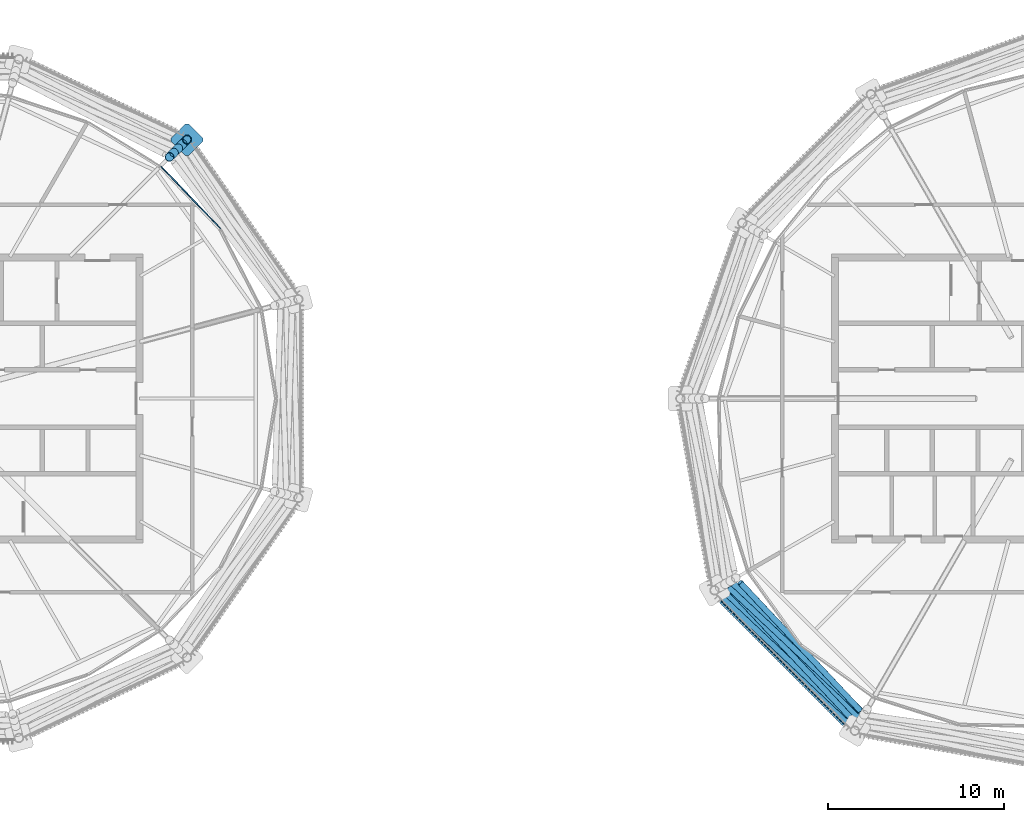
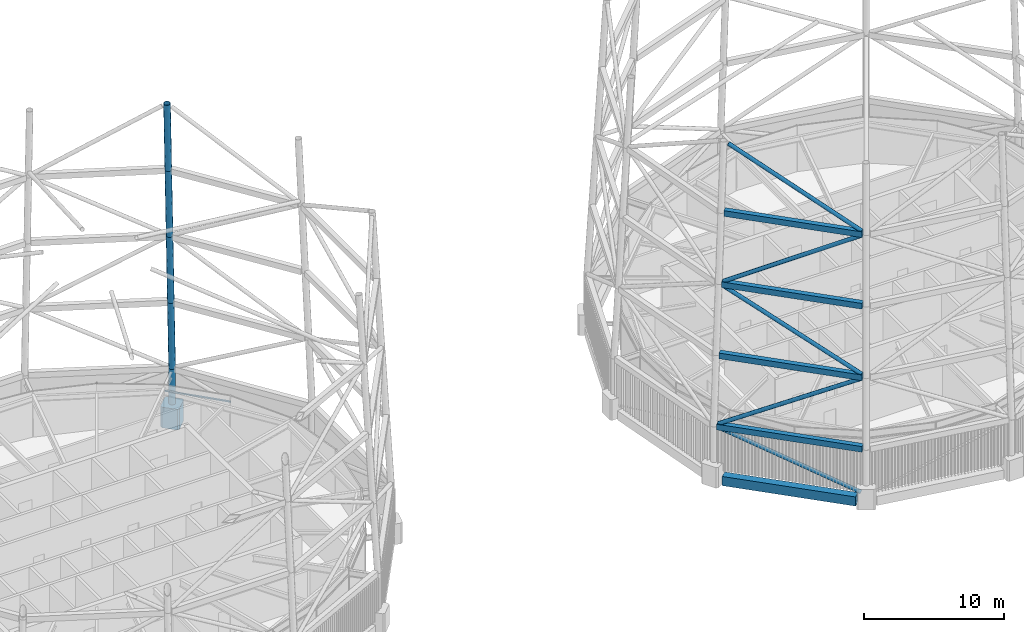
# One storey, part 35 of 71: 12 members, 5 beams, 1 element without a shape of its own.
"""IFC4 building model written with IfcOpenShell, lengths in metres."""

from ifc_helpers import new_model, si_unit, direction, frame, origin, origin_2d, place, context, subcontext, project, spatial, polyline, rectangle, hollow_rectangle, hollow_circle, outline, extrude, material, material_profile, profile_set, type_object, element, aggregate, save


model = new_model("IFC4")

# Units and contexts
model_context = context("Model", 3, precision=1e-05, world=origin(), true_north=direction((0.0, 1.0)))
body_context = subcontext(model_context, "Body", "Model", "MODEL_VIEW")
ifc_project = project(units=[si_unit("LENGTHUNIT", "METRE"), si_unit("AREAUNIT", "SQUARE_METRE"), si_unit("VOLUMEUNIT", "CUBIC_METRE"), si_unit("PLANEANGLEUNIT", "RADIAN"), si_unit("MASSUNIT", "GRAM", prefix="KILO")], contexts=[model_context])

# Site, building, storey
site_placement = place(None, origin())
site = spatial("IfcSite", under=ifc_project, at=site_placement, CompositionType="ELEMENT")
building_placement = place(site_placement, origin())
building = spatial("IfcBuilding", under=site, at=building_placement, Name="Rimbun Link Towers", CompositionType="ELEMENT")
storey_placement = place(building_placement, frame((0.0, 0.0, 267.60009765625)))
storey = spatial("IfcBuildingStorey", under=building, at=storey_placement, Name="L65", CompositionType="ELEMENT", Elevation=267.60009765625)

# Curtain wall, member
ifc_material_1 = material(Name="Aluminium 6063-T6 louvre wall", Category="aluminium")
curtain_wall_type = type_object("IfcCurtainWallType", Name="CW6 plant floor louvre wall", PredefinedType="NOTDEFINED", material=ifc_material_1)
curtain_wall_placement = place(storey_placement, origin())
curtain_wall = element("IfcCurtainWall", 1, at=curtain_wall_placement, inside=storey, type_object=curtain_wall_type, Name="CW6 L65 T1", PredefinedType="NOTDEFINED")
ifc_material_2 = material(Name="Aluminium 6063-T6", Category="aluminium")
ifc_material_profile_1 = material_profile(ifc_material_2, rectangle(XDim=0.06005859375, YDim=0.1201171875, at=origin_2d()), Name="TRANSOM 60X120")
ifc_profile_set_1 = profile_set([ifc_material_profile_1], Name="Aluminium 6063-T6")
member_type_1 = type_object("IfcMemberType", Name="CW6 transom 60X120", PredefinedType="USERDEFINED", material=ifc_profile_set_1)
member_1_placement = place(storey_placement, frame((-18.525390625, 13.178466796875, 3.39990234375), z_axis=(0.692070465615, -0.721829945779, 0.0), x_axis=(0.721829945779, 0.692070465615, 0.0)))
member_1 = element("IfcMember", 2, at=member_1_placement, type_object=member_type_1, Name="CW6 transom", ObjectType="TRANSOM", PredefinedType="USERDEFINED", context=body_context, shape_type="SweptSolid", body=[
    extrude(rectangle(XDim=0.06005859375, YDim=0.1201171875, at=origin_2d()), origin(), (0.0, 0.0, 1.0), 4.88134765625),
])
aggregate(curtain_wall, [member_1])

# Members
ifc_material_3 = material(Name="Steel S355J2H", Category="steel")
ifc_material_profile_2 = material_profile(ifc_material_3, hollow_circle(Radius=0.161865234375, WallThickness=0.011962890625, at=origin_2d()), Name="Crown frame brace CHS 324x12")
ifc_profile_set_2 = profile_set([ifc_material_profile_2], Name="Steel S355J2H")
member_type_2 = type_object("IfcMemberType", Name="Crown frame brace CHS 324x12", PredefinedType="BRACE", material=ifc_profile_set_2)
member_2_placement = place(storey_placement, frame((20.59912109375, -18.585693359375, 0.1337890625), z_axis=(-0.666367078529, 0.666367078529, 0.334529271223), x_axis=(-0.707106781187, -0.707106781187, 0.0)))
element("IfcMember", 3, at=member_2_placement, inside=storey, type_object=member_type_2, Name="CROWN FRAME brace T2 1-05", PredefinedType="BRACE", context=body_context, shape_type="SweptSolid", body=[
    extrude(hollow_circle(Radius=0.161865234375, WallThickness=0.011962890625, at=origin_2d()), origin(), (0.0, 0.0, 1.0), 11.1572265625),
])
member_3_placement = place(storey_placement, frame((13.154296875, -11.1259765625, 4.18896484375), z_axis=(0.641639549745, -0.603963681012, 0.472785956033), x_axis=(0.685405398866, 0.728161684796, 0.0)))
element("IfcMember", 4, at=member_3_placement, inside=storey, type_object=member_type_2, Name="CROWN FRAME brace T2 2-05", PredefinedType="BRACE", context=body_context, shape_type="SweptSolid", body=[
    extrude(hollow_circle(Radius=0.161865234375, WallThickness=0.011962890625, at=origin_2d()), origin(), (0.0, 0.0, 1.0), 11.890869140625),
])
member_4_placement = place(storey_placement, frame((20.800048828125, -18.29345703125, 10.19140625), z_axis=(-0.601424667009, 0.639570390699, 0.478788142349), x_axis=(-0.72849776907, -0.685048173824, 0.0)))
element("IfcMember", 5, at=member_4_placement, inside=storey, type_object=member_type_2, Name="CROWN FRAME brace T2 3-05", PredefinedType="BRACE", context=body_context, shape_type="SweptSolid", body=[
    extrude(hollow_circle(Radius=0.161865234375, WallThickness=0.011962890625, at=origin_2d()), origin(), (0.0, 0.0, 1.0), 11.731689453125),
])
member_5_placement = place(storey_placement, frame((13.7587890625, -10.77392578125, 16.19384765625), z_axis=(0.637413235173, -0.598786604903, 0.484931922453), x_axis=(0.684678179794, 0.728845518689, 0.0)))
element("IfcMember", 6, at=member_5_placement, inside=storey, type_object=member_type_2, Name="CROWN FRAME brace T2 4-05", PredefinedType="BRACE", context=body_context, shape_type="SweptSolid", body=[
    extrude(hollow_circle(Radius=0.161865234375, WallThickness=0.011962890625, at=origin_2d()), origin(), (0.0, 0.0, 1.0), 11.572998046875),
])
member_6_placement = place(storey_placement, frame((21.152099609375, -17.68896484375, 22.1962890625), z_axis=(-0.596036429538, 0.635176183594, 0.491214607334), x_axis=(-0.729217049015, -0.684282467572, 0.0)))
element("IfcMember", 7, at=member_6_placement, inside=storey, type_object=member_type_2, Name="CROWN FRAME brace T2 5-05", PredefinedType="BRACE", context=body_context, shape_type="SweptSolid", body=[
    extrude(hollow_circle(Radius=0.161865234375, WallThickness=0.011962890625, at=origin_2d()), origin(), (0.0, 0.0, 1.0), 11.4150390625),
])
ifc_material_4 = material(Name="Steel S355J2H", Category="steel")
ifc_material_profile_3 = material_profile(ifc_material_4, hollow_circle(Radius=0.25390625, WallThickness=0.02001953125, at=origin_2d()), Name="Crown frame post CHS 508x20")
ifc_profile_set_3 = profile_set([ifc_material_profile_3], Name="Steel S355J2H")
member_type_3 = type_object("IfcMemberType", Name="Crown frame post CHS 508x20", PredefinedType="POST", material=ifc_profile_set_3)
member_7_placement = place(storey_placement, frame((-17.048828125, 14.701171875, 0.0), z_axis=(0.0, 0.0, 1.0), x_axis=(1.0, 0.0, 0.0)))
element("IfcMember", 8, at=member_7_placement, inside=storey, type_object=member_type_3, Name="CROWN FRAME post T1 1-01", PredefinedType="POST", context=body_context, shape_type="SweptSolid", body=[
    extrude(hollow_circle(Radius=0.25390625, WallThickness=0.02001953125, at=origin_2d()), origin(), (0.0, 0.0, 1.0), 4.0),
])
for number, where, z_axis, x_axis, name in (
    (9, (-17.048828125, 14.701171875, 4.0), (-0.041189705162, -0.041189705162, 0.99830196653), (0.707106781187, -0.707106781187, 0.0), "CROWN FRAME post T1 2-01"),
    (10, (-17.29638671875, 14.45361328125, 10.0), (-0.041189705162, -0.041189705162, 0.99830196653), (0.707106781187, -0.707106781187, 0.0), "CROWN FRAME post T1 3-01"),
    (11, (-17.5439453125, 14.2060546875, 16.0), (-0.041189705162, -0.041189705162, 0.99830196653), (0.707106781187, -0.707106781187, 0.0), "CROWN FRAME post T1 4-01"),
    (12, (-17.79150390625, 13.95849609375, 22.0), (-0.041149221782, -0.041149221782, 0.998305305552), (0.707106781187, -0.707106781187, 0.0), "CROWN FRAME post T1 5-01"),
):
    element("IfcMember", number, at=place(storey_placement, frame(where, z_axis=z_axis, x_axis=x_axis)), inside=storey, type_object=member_type_3, Name=name, PredefinedType="POST", context=body_context, shape_type="SweptSolid", body=[
        extrude(hollow_circle(Radius=0.25390625, WallThickness=0.02001953125, at=origin_2d()), origin(), (0.0, 0.0, 1.0), 6.01025390625),
    ])

# Beams
ifc_material_5 = material(Name="Steel S355J2", Category="steel")
ifc_material_profile_4 = material_profile(ifc_material_5, hollow_rectangle(XDim=0.39990234375, YDim=0.5, WallThickness=0.02001953125, at=origin_2d()), Name="Crown frame ring beam BOX 400x500x20")
ifc_profile_set_4 = profile_set([ifc_material_profile_4], Name="Steel S355J2")
beam_type_1 = type_object("IfcBeamType", Name="Crown frame ring beam BOX 400x500x20", PredefinedType="BEAM", material=ifc_profile_set_4)
beam_1_placement = place(storey_placement, frame((13.077392578125, -11.06396484375, 4.0), z_axis=(0.707106781187, -0.707106781187, 0.0), x_axis=(0.707106781187, 0.707106781187, 0.0)))
element("IfcBeam", 13, at=beam_1_placement, inside=storey, type_object=beam_type_1, Name="CROWN FRAME ring beam T2 1-05", PredefinedType="BEAM", context=body_context, shape_type="SweptSolid", body=[
    extrude(hollow_rectangle(XDim=0.39990234375, YDim=0.5, WallThickness=0.02001953125, at=origin_2d()), origin(), (0.0, 0.0, 1.0), 10.76025390625),
])
beam_2_placement = place(storey_placement, frame((13.38037109375, -10.888916015625, 10.0), z_axis=(0.707106781187, -0.707106781187, 0.0), x_axis=(0.707106781187, 0.707106781187, 0.0)))
element("IfcBeam", 14, at=beam_2_placement, inside=storey, type_object=beam_type_1, Name="CROWN FRAME ring beam T2 2-05", PredefinedType="BEAM", context=body_context, shape_type="SweptSolid", body=[
    extrude(hollow_rectangle(XDim=0.39990234375, YDim=0.5, WallThickness=0.02001953125, at=origin_2d()), origin(), (0.0, 0.0, 1.0), 10.579345703125),
])
beam_3_placement = place(storey_placement, frame((13.68359375, -10.714111328125, 16.0), z_axis=(0.707106781187, -0.707106781187, 0.0), x_axis=(0.707106781187, 0.707106781187, 0.0)))
element("IfcBeam", 15, at=beam_3_placement, inside=storey, type_object=beam_type_1, Name="CROWN FRAME ring beam T2 3-05", PredefinedType="BEAM", context=body_context, shape_type="SweptSolid", body=[
    extrude(hollow_rectangle(XDim=0.39990234375, YDim=0.5, WallThickness=0.02001953125, at=origin_2d()), origin(), (0.0, 0.0, 1.0), 10.397705078125),
])
beam_4_placement = place(storey_placement, frame((13.986572265625, -10.5390625, 22.0), z_axis=(0.707106781187, -0.707106781187, 0.0), x_axis=(0.707106781187, 0.707106781187, 0.0)))
element("IfcBeam", 16, at=beam_4_placement, inside=storey, type_object=beam_type_1, Name="CROWN FRAME ring beam T2 4-05", PredefinedType="BEAM", context=body_context, shape_type="SweptSolid", body=[
    extrude(hollow_rectangle(XDim=0.39990234375, YDim=0.5, WallThickness=0.02001953125, at=origin_2d()), origin(), (0.0, 0.0, 1.0), 10.216796875),
])

# Member
ifc_material_6 = material(Name="Cast steel G20Mn5+QT, Rp0.2 300 MPa", Category="steel")
ifc_material_profile_5 = material_profile(ifc_material_6, outline(polyline([(0.699951171875, -0.570068359375), (0.699951171875, 0.570068359375), (0.570068359375, 0.699951171875), (-0.570068359375, 0.699951171875), (-0.699951171875, 0.570068359375), (-0.699951171875, -0.570068359375), (-0.570068359375, -0.699951171875), (0.570068359375, -0.699951171875), (0.699951171875, -0.570068359375)])), Name="NODE 1400x1400")
ifc_profile_set_5 = profile_set([ifc_material_profile_5], Name="Cast steel G20Mn5+QT, Rp0.2 300 MPa")
member_type_4 = type_object("IfcMemberType", Name="Diagrid node cast 1400", PredefinedType="USERDEFINED", material=ifc_profile_set_5)
member_8_placement = place(storey_placement, frame((-17.048828125, 14.701171875, -0.900146484375), z_axis=(0.0, 0.0, 1.0), x_axis=(0.707106781187, 0.707106781187, 0.0)))
element("IfcMember", 17, at=member_8_placement, inside=storey, type_object=member_type_4, Name="Diagrid node L65 03", ObjectType="Diagrid node", PredefinedType="USERDEFINED", context=body_context, shape_type="SweptSolid", body=[
    extrude(outline(polyline([(0.699951171875, -0.570068359375), (0.699951171875, 0.570068359375), (0.570068359375, 0.699951171875), (-0.570068359375, 0.699951171875), (-0.699951171875, 0.570068359375), (-0.699951171875, -0.570068359375), (-0.570068359375, -0.699951171875), (0.570068359375, -0.699951171875), (0.699951171875, -0.570068359375)])), origin(), (0.0, 0.0, 1.0), 1.800048828125),
])

# Beam
ifc_material_7 = material(Name="Steel S355J2", Category="steel")
ifc_material_profile_6 = material_profile(ifc_material_7, hollow_rectangle(XDim=0.60009765625, YDim=0.800048828125, WallThickness=0.0400390625, at=origin_2d()), Name="Exoskeleton ring girder BOX 600x800x40")
ifc_profile_set_6 = profile_set([ifc_material_profile_6], Name="Steel S355J2")
beam_type_2 = type_object("IfcBeamType", Name="Exoskeleton ring girder BOX 600x800x40", PredefinedType="BEAM", material=ifc_profile_set_6)
beam_5_placement = place(storey_placement, frame((13.392578125, -11.37939453125, -0.56005859375), z_axis=(0.707106781187, -0.707106781187, 0.0), x_axis=(0.707106781187, 0.707106781187, 0.0)))
element("IfcBeam", 18, at=beam_5_placement, inside=storey, type_object=beam_type_2, Name="Exoskeleton ring girder L65 05", PredefinedType="BEAM", context=body_context, shape_type="SweptSolid", body=[
    extrude(hollow_rectangle(XDim=0.60009765625, YDim=0.800048828125, WallThickness=0.0400390625, at=origin_2d()), origin(), (0.0, 0.0, 1.0), 9.868408203125),
])

save(model, "model.ifc")
